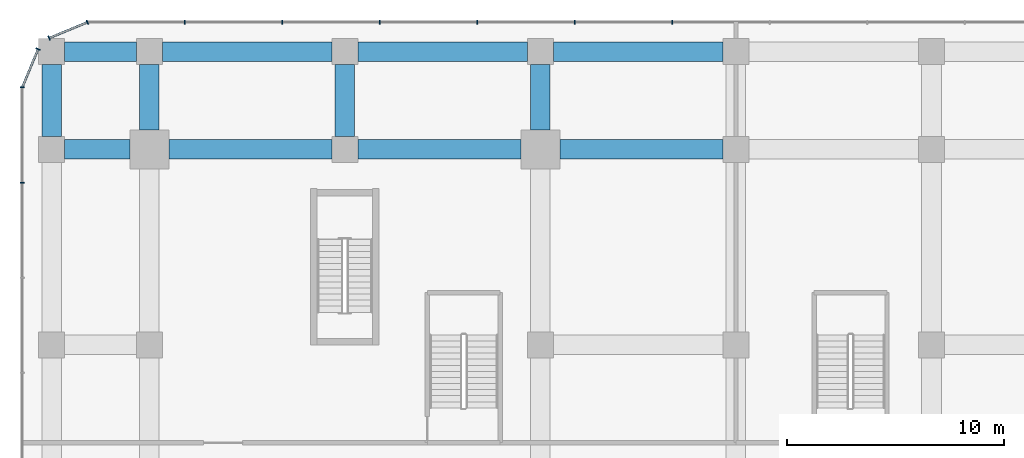
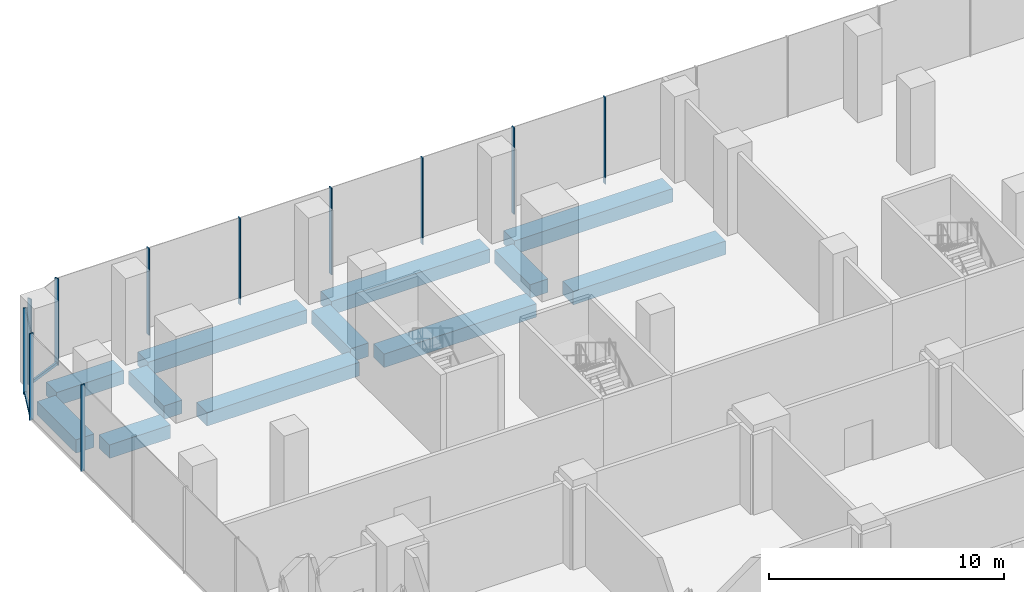
# One storey, part 21 of 43: 13 members, 12 beams, 4 elements without a shape of their own.
"""IFC4 building model written with IfcOpenShell, lengths in metres."""

from ifc_helpers import new_model, si_unit, direction, frame, origin, origin_2d, place, context, subcontext, project, spatial, rectangle, extrude, material, layer, layer_set, material_profile, profile_set, type_object, element, aggregate, save


model = new_model("IFC4")

# Units and contexts
model_context = context("Model", 3, precision=1e-05, world=origin(), true_north=direction((0.0, 1.0)))
body_context = subcontext(model_context, "Body", "Model", "MODEL_VIEW")
ifc_project = project(units=[si_unit("LENGTHUNIT", "METRE"), si_unit("AREAUNIT", "SQUARE_METRE"), si_unit("VOLUMEUNIT", "CUBIC_METRE"), si_unit("PLANEANGLEUNIT", "RADIAN"), si_unit("MASSUNIT", "GRAM", prefix="KILO")], contexts=[model_context])

# Site, building, storey
site_placement = place(None, origin())
site = spatial("IfcSite", under=ifc_project, at=site_placement, CompositionType="ELEMENT")
building_placement = place(site_placement, origin())
building = spatial("IfcBuilding", under=site, at=building_placement, Name="Plateau Cross Towers", CompositionType="ELEMENT")
storey_placement = place(building_placement, frame((0.0, 0.0, 17.300048828125)))
storey = spatial("IfcBuildingStorey", under=building, at=storey_placement, Name="L03", CompositionType="ELEMENT", Elevation=17.300048828125)

# Curtain wall, members
ifc_material_1 = material(Name="Dark low-iron laminated glass", Category="glass")
ifc_layer = layer(ifc_material_1, 0.300048828125)
ifc_layer_set = layer_set([ifc_layer], Name="Dark low-iron laminated glass")
curtain_wall_type = type_object("IfcCurtainWallType", Name="Curtain wall structural silicone CW-C", PredefinedType="NOTDEFINED", material=ifc_layer_set)
curtain_wall_1_placement = place(storey_placement, origin())
curtain_wall_1 = element("IfcCurtainWall", 1, at=curtain_wall_1_placement, inside=storey, type_object=curtain_wall_type, Name="ENV/P/L03/P1048_598", PredefinedType="NOTDEFINED")
ifc_material_2 = material(Name="Black anodised aluminium", Category="aluminium")
ifc_material_profile_1 = material_profile(ifc_material_2, rectangle(XDim=0.050048828125, YDim=0.199951171875, at=origin_2d()), Name="MULLION 50x200")
ifc_profile_set_1 = profile_set([ifc_material_profile_1], Name="Black anodised aluminium")
member_type_1 = type_object("IfcMemberType", Name="Mullion 50x200 structural silicone", PredefinedType="MULLION", material=ifc_profile_set_1)
member_1_placement = place(storey_placement, frame((24.074951171875, 59.85009765625, -0.35009765625), z_axis=(0.0, 0.0, 1.0), x_axis=(-1.0, 0.0, 0.0)))
member_1 = element("IfcMember", 2, at=member_1_placement, type_object=member_type_1, Name="CW-C mullion 19", PredefinedType="MULLION", context=body_context, shape_type="SweptSolid", body=[
    extrude(rectangle(XDim=0.050048828125, YDim=0.199951171875, at=origin_2d()), origin(), (0.0, 0.0, 1.0), 4.5),
])
member_2_placement = place(storey_placement, frame((19.58740234375, 59.85009765625, -0.35009765625), z_axis=(0.0, 0.0, 1.0), x_axis=(-1.0, 0.0, 0.0)))
member_2 = element("IfcMember", 3, at=member_2_placement, type_object=member_type_1, Name="CW-C mullion 20", PredefinedType="MULLION", context=body_context, shape_type="SweptSolid", body=[
    extrude(rectangle(XDim=0.050048828125, YDim=0.199951171875, at=origin_2d()), origin(), (0.0, 0.0, 1.0), 4.5),
])
member_3_placement = place(storey_placement, frame((15.10009765625, 59.85009765625, -0.35009765625), z_axis=(0.0, 0.0, 1.0), x_axis=(-1.0, 0.0, 0.0)))
member_3 = element("IfcMember", 4, at=member_3_placement, type_object=member_type_1, Name="CW-C mullion 21", PredefinedType="MULLION", context=body_context, shape_type="SweptSolid", body=[
    extrude(rectangle(XDim=0.050048828125, YDim=0.199951171875, at=origin_2d()), origin(), (0.0, 0.0, 1.0), 4.5),
])
member_4_placement = place(storey_placement, frame((10.612548828125, 59.85009765625, -0.35009765625), z_axis=(0.0, 0.0, 1.0), x_axis=(-1.0, 0.0, 0.0)))
member_4 = element("IfcMember", 5, at=member_4_placement, type_object=member_type_1, Name="CW-C mullion 22", PredefinedType="MULLION", context=body_context, shape_type="SweptSolid", body=[
    extrude(rectangle(XDim=0.050048828125, YDim=0.199951171875, at=origin_2d()), origin(), (0.0, 0.0, 1.0), 4.5),
])
member_5_placement = place(storey_placement, frame((6.125, 59.85009765625, -0.35009765625), z_axis=(0.0, 0.0, 1.0), x_axis=(-1.0, 0.0, 0.0)))
member_5 = element("IfcMember", 6, at=member_5_placement, type_object=member_type_1, Name="CW-C mullion 23", PredefinedType="MULLION", context=body_context, shape_type="SweptSolid", body=[
    extrude(rectangle(XDim=0.050048828125, YDim=0.199951171875, at=origin_2d()), origin(), (0.0, 0.0, 1.0), 4.5),
])
member_6_placement = place(storey_placement, frame((1.637451171875, 59.85009765625, -0.35009765625), z_axis=(0.0, 0.0, 1.0), x_axis=(-1.0, 0.0, 0.0)))
member_6 = element("IfcMember", 7, at=member_6_placement, type_object=member_type_1, Name="CW-C mullion 24", PredefinedType="MULLION", context=body_context, shape_type="SweptSolid", body=[
    extrude(rectangle(XDim=0.050048828125, YDim=0.199951171875, at=origin_2d()), origin(), (0.0, 0.0, 1.0), 4.5),
])
aggregate(curtain_wall_1, [member_1, member_2, member_3, member_4, member_5, member_6])

curtain_wall_2_placement = place(storey_placement, origin())
curtain_wall_2 = element("IfcCurtainWall", 8, at=curtain_wall_2_placement, inside=storey, type_object=curtain_wall_type, Name="ENV/P/L03/P-28_598", PredefinedType="NOTDEFINED")
member_7_placement = place(storey_placement, frame((-2.85009765625, 59.85009765625, -0.35009765625), z_axis=(0.0, 0.0, 1.0), x_axis=(-0.923879457699, -0.382683612978, 0.0)))
member_7 = element("IfcMember", 9, at=member_7_placement, type_object=member_type_1, Name="CW-C mullion 1", PredefinedType="MULLION", context=body_context, shape_type="SweptSolid", body=[
    extrude(rectangle(XDim=0.050048828125, YDim=0.199951171875, at=origin_2d()), origin(), (0.0, 0.0, 1.0), 4.5),
])
member_8_placement = place(storey_placement, frame((-4.6123046875, 59.1201171875, -0.35009765625), z_axis=(0.0, 0.0, 1.0), x_axis=(-0.923879457699, -0.382683612978, 0.0)))
member_8 = element("IfcMember", 10, at=member_8_placement, type_object=member_type_1, Name="CW-C mullion 2", PredefinedType="MULLION", context=body_context, shape_type="SweptSolid", body=[
    extrude(rectangle(XDim=0.050048828125, YDim=0.199951171875, at=origin_2d()), origin(), (0.0, 0.0, 1.0), 4.5),
])

# Curtain wall, member
curtain_wall_3_placement = place(storey_placement, origin())
curtain_wall_3 = element("IfcCurtainWall", 11, at=curtain_wall_3_placement, inside=storey, type_object=curtain_wall_type, Name="ENV/P/L03/P-51_586", PredefinedType="NOTDEFINED")
member_9_placement = place(storey_placement, frame((-5.1201171875, 58.6123046875, -0.35009765625), z_axis=(0.0, 0.0, 1.0), x_axis=(-0.382683612978, -0.923879457699, 0.0)))
member_9 = element("IfcMember", 12, at=member_9_placement, type_object=member_type_1, Name="CW-C mullion 1", PredefinedType="MULLION", context=body_context, shape_type="SweptSolid", body=[
    extrude(rectangle(XDim=0.050048828125, YDim=0.199951171875, at=origin_2d()), origin(), (0.0, 0.0, 1.0), 4.5),
])

# Curtain wall, members
curtain_wall_4_placement = place(storey_placement, origin())
curtain_wall_4 = element("IfcCurtainWall", 13, at=curtain_wall_4_placement, inside=storey, type_object=curtain_wall_type, Name="ENV/P/L03/P-58_568", PredefinedType="NOTDEFINED")
member_10_placement = place(storey_placement, frame((-5.85009765625, 56.85009765625, -0.35009765625), z_axis=(0.0, 0.0, 1.0), x_axis=(0.0, -1.0, 0.0)))
member_10 = element("IfcMember", 14, at=member_10_placement, type_object=member_type_1, Name="CW-C mullion 1", PredefinedType="MULLION", context=body_context, shape_type="SweptSolid", body=[
    extrude(rectangle(XDim=0.050048828125, YDim=0.199951171875, at=origin_2d()), origin(), (0.0, 0.0, 1.0), 4.5),
])
member_11_placement = place(storey_placement, frame((-5.85009765625, 52.469970703125, -0.35009765625), z_axis=(0.0, 0.0, 1.0), x_axis=(0.0, -1.0, 0.0)))
member_11 = element("IfcMember", 15, at=member_11_placement, type_object=member_type_1, Name="CW-C mullion 2", PredefinedType="MULLION", context=body_context, shape_type="SweptSolid", body=[
    extrude(rectangle(XDim=0.050048828125, YDim=0.199951171875, at=origin_2d()), origin(), (0.0, 0.0, 1.0), 4.5),
])
aggregate(curtain_wall_4, [member_10, member_11])

# Beams
ifc_material_3 = material(Name="Concrete C50/60", Category="concrete")
ifc_material_profile_2 = material_profile(ifc_material_3, rectangle(XDim=0.89990234375, YDim=0.699951171875, at=origin_2d()), Name="RC 900x700")
ifc_profile_set_2 = profile_set([ifc_material_profile_2], Name="Concrete C50/60")
beam_type = type_object("IfcBeamType", Name="Podium band beam RC 900x700", PredefinedType="BEAM", material=ifc_profile_set_2)
beam_1_placement = place(storey_placement, frame((-3.89990234375, 54.0, -0.699951171875), z_axis=(1.0, 0.0, 0.0), x_axis=(0.0, 1.0, 0.0)))
element("IfcBeam", 16, at=beam_1_placement, inside=storey, type_object=beam_type, Name="PB67@L03", PredefinedType="BEAM", context=body_context, shape_type="SweptSolid", body=[
    extrude(rectangle(XDim=0.89990234375, YDim=0.699951171875, at=origin_2d()), origin(), (0.0, 0.0, 1.0), 3.0),
])
for number, where, z_axis, x_axis, name in (
    (17, (0.89990234375, 54.0, -0.699951171875), (1.0, 0.0, 0.0), (0.0, 1.0, 0.0), "PB68@L03"),
    (18, (9.60009765625, 54.0, -0.699951171875), (1.0, 0.0, 0.0), (0.0, 1.0, 0.0), "PB69@L03"),
    (19, (18.89990234375, 54.0, -0.699951171875), (1.0, 0.0, 0.0), (0.0, 1.0, 0.0), "PB70@L03"),
):
    element("IfcBeam", number, at=place(storey_placement, frame(where, z_axis=z_axis, x_axis=x_axis)), inside=storey, type_object=beam_type, Name=name, PredefinedType="BEAM", context=body_context, shape_type="SweptSolid", body=[
        extrude(rectangle(XDim=0.89990234375, YDim=0.699951171875, at=origin_2d()), origin(), (0.0, 0.0, 1.0), 7.5),
    ])
beam_2_placement = place(storey_placement, frame((-3.89990234375, 58.5, -0.699951171875), z_axis=(1.0, 0.0, 0.0), x_axis=(0.0, 1.0, 0.0)))
element("IfcBeam", 20, at=beam_2_placement, inside=storey, type_object=beam_type, Name="PB80@L03", PredefinedType="BEAM", context=body_context, shape_type="SweptSolid", body=[
    extrude(rectangle(XDim=0.89990234375, YDim=0.699951171875, at=origin_2d()), origin(), (0.0, 0.0, 1.0), 3.2998046875),
])
for number, where, z_axis, x_axis, name in (
    (21, (0.60009765625, 58.5, -0.699951171875), (1.0, 0.0, 0.0), (0.0, 1.0, 0.0), "PB81@L03"),
    (22, (9.60009765625, 58.5, -0.699951171875), (1.0, 0.0, 0.0), (0.0, 1.0, 0.0), "PB82@L03"),
    (23, (18.60009765625, 58.5, -0.699951171875), (1.0, 0.0, 0.0), (0.0, 1.0, 0.0), "PB83@L03"),
):
    element("IfcBeam", number, at=place(storey_placement, frame(where, z_axis=z_axis, x_axis=x_axis)), inside=storey, type_object=beam_type, Name=name, PredefinedType="BEAM", context=body_context, shape_type="SweptSolid", body=[
        extrude(rectangle(XDim=0.89990234375, YDim=0.699951171875, at=origin_2d()), origin(), (0.0, 0.0, 1.0), 7.7998046875),
    ])
beam_3_placement = place(storey_placement, frame((-4.5, 54.60009765625, -0.699951171875), z_axis=(0.0, 1.0, 0.0), x_axis=(-1.0, 0.0, 0.0)))
element("IfcBeam", 24, at=beam_3_placement, inside=storey, type_object=beam_type, Name="PB100@L03", PredefinedType="BEAM", context=body_context, shape_type="SweptSolid", body=[
    extrude(rectangle(XDim=0.89990234375, YDim=0.699951171875, at=origin_2d()), origin(), (0.0, 0.0, 1.0), 3.2998046875),
])
beam_4_placement = place(storey_placement, frame((0.0, 54.89990234375, -0.699951171875), z_axis=(0.0, 1.0, 0.0), x_axis=(-1.0, 0.0, 0.0)))
element("IfcBeam", 25, at=beam_4_placement, inside=storey, type_object=beam_type, Name="PB105@L03", PredefinedType="BEAM", context=body_context, shape_type="SweptSolid", body=[
    extrude(rectangle(XDim=0.89990234375, YDim=0.699951171875, at=origin_2d()), origin(), (0.0, 0.0, 1.0), 3.0),
])
beam_5_placement = place(storey_placement, frame((9.0, 54.60009765625, -0.699951171875), z_axis=(0.0, 1.0, 0.0), x_axis=(-1.0, 0.0, 0.0)))
element("IfcBeam", 26, at=beam_5_placement, inside=storey, type_object=beam_type, Name="PB108@L03", PredefinedType="BEAM", context=body_context, shape_type="SweptSolid", body=[
    extrude(rectangle(XDim=0.89990234375, YDim=0.699951171875, at=origin_2d()), origin(), (0.0, 0.0, 1.0), 3.2998046875),
])
beam_6_placement = place(storey_placement, frame((18.0, 54.89990234375, -0.699951171875), z_axis=(0.0, 1.0, 0.0), x_axis=(-1.0, 0.0, 0.0)))
element("IfcBeam", 27, at=beam_6_placement, inside=storey, type_object=beam_type, Name="PB113@L03", PredefinedType="BEAM", context=body_context, shape_type="SweptSolid", body=[
    extrude(rectangle(XDim=0.89990234375, YDim=0.699951171875, at=origin_2d()), origin(), (0.0, 0.0, 1.0), 3.0),
])

# Member
ifc_material_profile_3 = material_profile(ifc_material_2, rectangle(XDim=0.10009765625, YDim=0.14990234375, at=origin_2d()), Name="TRANSOM 100x150")
ifc_profile_set_3 = profile_set([ifc_material_profile_3], Name="Black anodised aluminium")
member_type_2 = type_object("IfcMemberType", Name="Transom 100x150 structural silicone", PredefinedType="USERDEFINED", material=ifc_profile_set_3)
member_12_placement = place(storey_placement, frame((-2.85009765625, 59.85009765625, -0.275146484375), z_axis=(-0.923870187147, -0.38270599329, 0.0), x_axis=(0.38270599329, -0.923870187147, 0.0)))
member_12 = element("IfcMember", 28, at=member_12_placement, type_object=member_type_2, Name="CW-C transom", ObjectType="TRANSOM", PredefinedType="USERDEFINED", context=body_context, shape_type="SweptSolid", body=[
    extrude(rectangle(XDim=0.10009765625, YDim=0.14990234375, at=origin_2d()), origin(), (0.0, 0.0, 1.0), 1.907470703125),
])

aggregate(curtain_wall_2, [member_7, member_8, member_12])

member_13_placement = place(storey_placement, frame((-5.1201171875, 58.6123046875, -0.275146484375), z_axis=(-0.38270599329, -0.923870187147, 0.0), x_axis=(0.923870187147, -0.38270599329, 0.0)))
member_13 = element("IfcMember", 29, at=member_13_placement, type_object=member_type_2, Name="CW-C transom", ObjectType="TRANSOM", PredefinedType="USERDEFINED", context=body_context, shape_type="SweptSolid", body=[
    extrude(rectangle(XDim=0.10009765625, YDim=0.14990234375, at=origin_2d()), origin(), (0.0, 0.0, 1.0), 1.907470703125),
])

aggregate(curtain_wall_3, [member_9, member_13])

save(model, "model.ifc")
